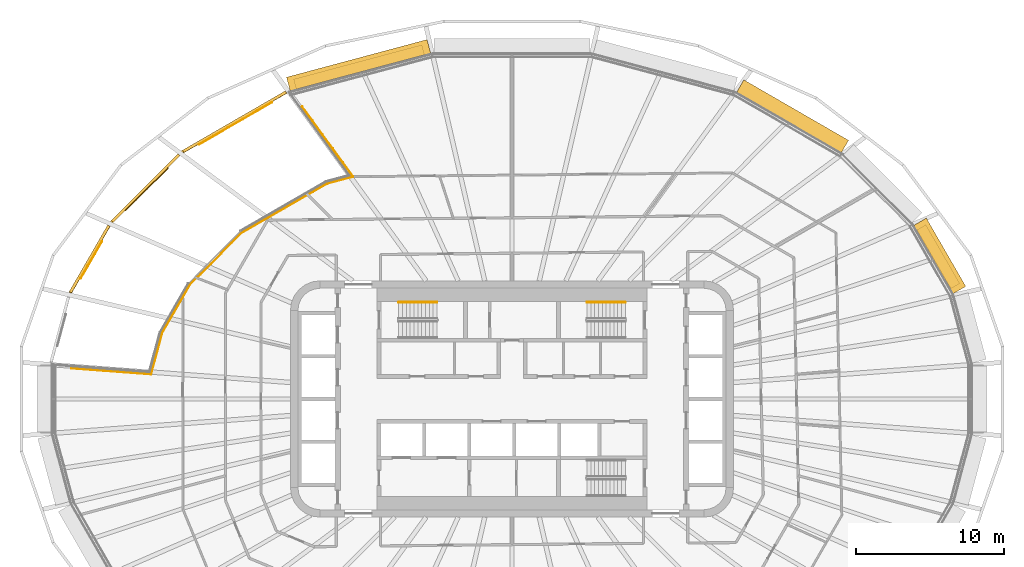
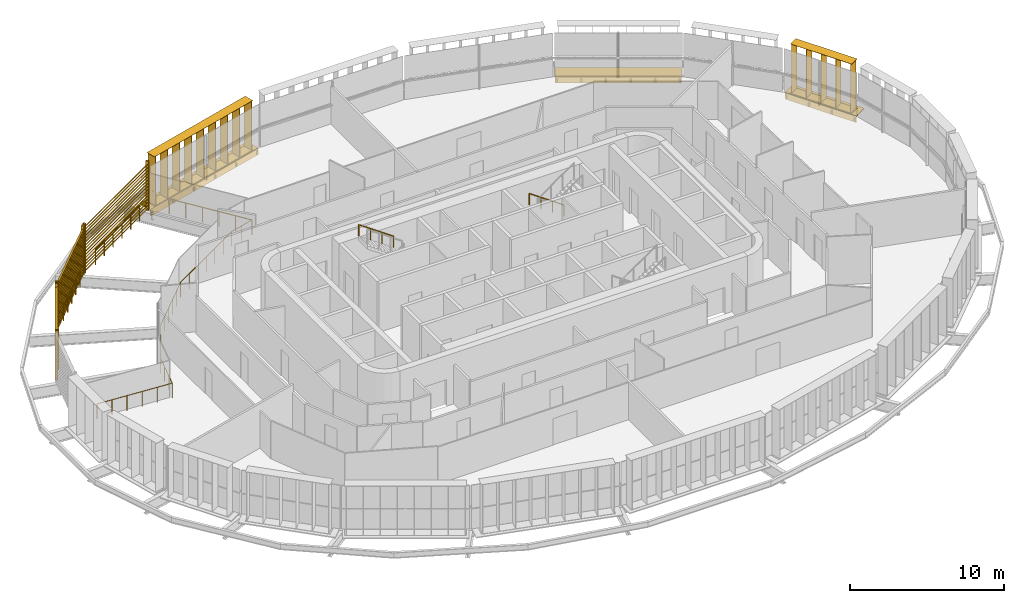
# One storey, part 22 of 23: 8 shading devices, 7 railings.
"""IFC4 building model written with IfcOpenShell, lengths in metres."""

import ifcopenshell
import ifcopenshell.guid

model = None  # the IFC model being written
_history = None  # IfcOwnerHistory: only IFC2X3 demands one
_inside = {}  # id of a spatial element -> (the spatial element, [elements in it])
_under = {}  # id of a project, library or spatial element -> (it, [spatial elements below it])
_declared = {}  # id of a project -> (the project, [libraries it declares])
_typed = {}  # id of a type object -> (the type object, [elements of that type])
_made_of = {}  # id of a material, layer set ... -> (it, [elements and type objects made of it])


def new_model(schema):
    """Start an empty IFC model of exactly this schema.

    Asked for "IFC4X3", IfcOpenShell would pick the latest addendum, in which some entities
    have other attributes; the version numbers below select the first issue.
    IFC2X3 requires an IfcOwnerHistory on every rooted entity: one is made here for all.
    """
    global model, _history
    if schema == "IFC4X3":
        model = ifcopenshell.file(schema_version=(4, 3, 0, 0))
    else:
        model = ifcopenshell.file(schema=schema)
    _inside.clear()
    _under.clear()
    _declared.clear()
    _typed.clear()
    _made_of.clear()
    _history = None
    if model.schema == "IFC2X3":
        org = make("IfcOrganization", Name="unknown")
        user = make(
            "IfcPersonAndOrganization",
            ThePerson=make("IfcPerson", FamilyName="unknown"),
            TheOrganization=org,
        )
        app = make(
            "IfcApplication",
            ApplicationDeveloper=org,
            Version="unknown",
            ApplicationFullName="unknown",
            ApplicationIdentifier="unknown",
        )
        _history = make(
            "IfcOwnerHistory",
            OwningUser=user,
            OwningApplication=app,
            ChangeAction="ADDED",
            CreationDate=0,
        )
    return model


def make(cls, **values):
    """One entity of the class cls with the attributes given. An attribute that is None is left unset."""
    return model.create_entity(
        cls, **{name: value for name, value in values.items() if value is not None}
    )


def rooted(cls, **values):
    """An entity with a GlobalId (a new one), such as an element, a storey or a relation."""
    return make(cls, GlobalId=ifcopenshell.guid.new(), OwnerHistory=_history, **values)


def si_unit(unit_type, name, prefix=None):
    """IfcSIUnit, for example si_unit("LENGTHUNIT", "METRE", prefix="MILLI")."""
    return make("IfcSIUnit", UnitType=unit_type, Prefix=prefix, Name=name)


def assignment(units):
    """IfcUnitAssignment: the units of a project."""
    return None if units is None else make("IfcUnitAssignment", Units=units)


def point(xyz):
    """IfcCartesianPoint."""
    return None if xyz is None else make("IfcCartesianPoint", Coordinates=xyz)


def direction(xyz):
    """IfcDirection."""
    return None if xyz is None else make("IfcDirection", DirectionRatios=xyz)


def frame(location, z_axis=None, x_axis=None):
    """IfcAxis2Placement3D, a coordinate frame: its origin and axes. An axis left out is left unset."""
    return make(
        "IfcAxis2Placement3D",
        Location=point(location),
        Axis=direction(z_axis),
        RefDirection=direction(x_axis),
    )


def frame_2d(location, x_axis=None):
    """IfcAxis2Placement2D, a coordinate frame in the plane: its origin and x axis."""
    return make(
        "IfcAxis2Placement2D", Location=point(location), RefDirection=direction(x_axis)
    )


def origin():
    """The frame at (0, 0, 0) with its axes left unset."""
    return frame((0.0, 0.0, 0.0))


def origin_2d():
    """The frame at (0, 0) in the plane with its x axis left unset."""
    return frame_2d((0.0, 0.0))


def place(relative_to, where):
    """IfcLocalPlacement: puts the frame where relative to a parent placement (None: the world)."""
    return make(
        "IfcLocalPlacement", PlacementRelTo=relative_to, RelativePlacement=where
    )


def context(
    kind, dimensions, precision=None, world=None, true_north=None, identifier=None
):
    """IfcGeometricRepresentationContext, for example the 3D "Model" context."""
    return make(
        "IfcGeometricRepresentationContext",
        ContextIdentifier=identifier,
        ContextType=kind,
        CoordinateSpaceDimension=dimensions,
        Precision=precision,
        WorldCoordinateSystem=world,
        TrueNorth=true_north,
    )


def subcontext(parent, identifier, kind, view, scale=None):
    """IfcGeometricRepresentationSubContext, for example "Body" below "Model"."""
    return make(
        "IfcGeometricRepresentationSubContext",
        ContextIdentifier=identifier,
        ContextType=kind,
        ParentContext=parent,
        TargetScale=scale,
        TargetView=view,
    )


def project(units=None, contexts=None):
    """IfcProject with its units and contexts."""
    return rooted(
        "IfcProject",
        Name="project",
        RepresentationContexts=contexts,
        UnitsInContext=assignment(units),
    )


def spatial(cls, under=None, at=None, **own):
    """A site, building, storey or space (cls), placed at a placement, below another one or the project."""
    s = rooted(cls, ObjectPlacement=at, **own)
    if under is not None:
        _under.setdefault(under.id(), (under, []))[1].append(s)
    return s


def profile(cls, at=None, kind="AREA", **sizes):
    """A parametric profile (cls). Its sizes go by their IFC names, for example OverallWidth=200.0."""
    return make(cls, ProfileType=kind, Position=at, **sizes)


def rectangle(**sizes):
    """IfcRectangleProfileDef."""
    return profile("IfcRectangleProfileDef", **sizes)


def circle(**sizes):
    """IfcCircleProfileDef."""
    return profile("IfcCircleProfileDef", **sizes)


def extrude(swept, where, along, depth):
    """IfcExtrudedAreaSolid: the profile swept, set in the frame where, extruded along a direction by depth."""
    return make(
        "IfcExtrudedAreaSolid",
        SweptArea=swept,
        Position=where,
        ExtrudedDirection=direction(along),
        Depth=depth,
    )


def shape(context_of_items, identifier, shape_type, items):
    """IfcShapeRepresentation: the items that make up one representation, for example the "Body"."""
    return make(
        "IfcShapeRepresentation",
        ContextOfItems=context_of_items,
        RepresentationIdentifier=identifier,
        RepresentationType=shape_type,
        Items=items,
    )


def material(Name=None, Category=None):
    """IfcMaterial."""
    return make("IfcMaterial", Name=Name, Category=Category)


def made_of(thing, what):
    """Note that an element or type object is made of a material, layer set ...; save() writes the relation."""
    if what is not None:
        _made_of.setdefault(what.id(), (what, []))[1].append(thing)
    return thing


def type_object(cls, material=None, **own):
    """A type object (cls), such as IfcWallType, which elements share."""
    return made_of(rooted(cls, **own), material)


def element(
    cls,
    number,
    at=None,
    inside=None,
    cuts=None,
    type_object=None,
    material=None,
    context=None,
    identifier="Body",
    shape_type=None,
    held_by="IfcProductDefinitionShape",
    body=None,
    shapes=None,
    **own,
):
    """One element of the class cls, such as IfcWall. Its Tag is "e" and its number.

    at: its placement. inside: the storey or other place that contains it. cuts: it is an
    opening in that element (IfcRelVoidsElement). A single representation is given by context,
    identifier, shape_type and body (its items); several are given by shapes. held_by: the class
    of the entity that holds the representations. save() writes the other relations.
    """
    e = rooted(cls, Tag="e%d" % number, ObjectPlacement=at, **own)
    if body is not None:
        shapes = [shape(context, identifier, shape_type, body)]
    if shapes is not None:
        e.Representation = make(held_by, Representations=shapes)
    if inside is not None:
        _inside.setdefault(inside.id(), (inside, []))[1].append(e)
    if cuts is not None:
        rooted(
            "IfcRelVoidsElement", RelatingBuildingElement=cuts, RelatedOpeningElement=e
        )
    if type_object is not None:
        _typed.setdefault(type_object.id(), (type_object, []))[1].append(e)
    return made_of(e, material)


def aggregate(whole, parts):
    """IfcRelAggregates: a whole, such as a stair, and the parts it consists of."""
    return rooted("IfcRelAggregates", RelatingObject=whole, RelatedObjects=parts)


def save(model, path):
    """Write the relations noted so far, then the file.

    IfcRelAggregates (storeys below a building ...), IfcRelContainedInSpatialStructure (elements
    in a storey), IfcRelDefinesByType, IfcRelAssociatesMaterial and IfcRelDeclares: one each for
    every whole, place, type object, material and project.
    """
    for whole, parts in _under.values():
        aggregate(whole, parts)
    for where, things in _inside.values():
        rooted(
            "IfcRelContainedInSpatialStructure",
            RelatedElements=things,
            RelatingStructure=where,
        )
    for kind, things in _typed.values():
        rooted("IfcRelDefinesByType", RelatedObjects=things, RelatingType=kind)
    for what, things in _made_of.values():
        rooted("IfcRelAssociatesMaterial", RelatedObjects=things, RelatingMaterial=what)
    for by, libraries in _declared.values():
        rooted("IfcRelDeclares", RelatingContext=by, RelatedDefinitions=libraries)
    model.write(path)


model = new_model("IFC4")

# Units and contexts
model_context = context("Model", 3, precision=1e-05, world=origin(), true_north=direction((0.0, 1.0)))
body_context = subcontext(model_context, "Body", "Model", "MODEL_VIEW")
ifc_project = project(units=[si_unit("LENGTHUNIT", "METRE"), si_unit("AREAUNIT", "SQUARE_METRE"), si_unit("VOLUMEUNIT", "CUBIC_METRE"), si_unit("PLANEANGLEUNIT", "RADIAN"), si_unit("MASSUNIT", "GRAM", prefix="KILO")], contexts=[model_context])

# Site, building, storey
site_placement = place(None, origin())
site = spatial("IfcSite", under=ifc_project, at=site_placement, CompositionType="ELEMENT")
building_placement = place(site_placement, origin())
building = spatial("IfcBuilding", under=site, at=building_placement, Name="Sahrelin Media Tower", CompositionType="ELEMENT")
storey_placement = place(building_placement, frame((0.0, 0.0, 173.60009765625)))
storey = spatial("IfcBuildingStorey", under=building, at=storey_placement, Name="L36", CompositionType="ELEMENT", Elevation=173.60009765625)

# Shading devices
ifc_material_1 = material(Name="Champagne anodised aluminium 6063-T6", Category="aluminium")
shading_device_type_1 = type_object("IfcShadingDeviceType", Name="Fin cassette", PredefinedType="USERDEFINED", material=ifc_material_1)
placement_1 = place(storey_placement, frame((28.50439453125, 9.427001953125, 0.0), z_axis=(0.0, 0.0, 1.0), x_axis=(0.500011000363, -0.866019052629, 0.0)))
element("IfcShadingDevice", 1, at=placement_1, inside=storey, type_object=shading_device_type_1, Name="L36:FIN:L36-02", ObjectType="FIN", PredefinedType="USERDEFINED", context=body_context, shape_type="SweptSolid", body=[
    extrude(rectangle(XDim=4.60009765625, YDim=0.699951171875, at=origin_2d()), frame((0.0, 0.419921875, 0.0)), (0.0, 0.0, 1.0), 0.02001953125),
    extrude(rectangle(XDim=4.60009765625, YDim=0.699951171875, at=origin_2d()), frame((0.0, 0.419921875, 3.89990234375)), (0.0, 0.0, 1.0), 0.02001953125),
    extrude(rectangle(XDim=0.02001953125, YDim=0.699951171875, at=origin_2d()), frame((-2.199951171875, 0.419921875, 0.010009765625), z_axis=(0.0, 0.0, 1.0), x_axis=(1.0, 0.0, 0.0)), (0.0, 0.0, 1.0), 3.89990234375),
    extrude(rectangle(XDim=0.02001953125, YDim=0.699951171875, at=origin_2d()), frame((-1.10009765625, 0.419921875, 0.010009765625), z_axis=(0.0, 0.0, 1.0), x_axis=(1.0, 0.0, 0.0)), (0.0, 0.0, 1.0), 3.89990234375),
    extrude(rectangle(XDim=0.02001953125, YDim=0.699951171875, at=origin_2d()), frame((0.0, 0.419921875, 0.010009765625), z_axis=(0.0, 0.0, 1.0), x_axis=(1.0, 0.0, 0.0)), (0.0, 0.0, 1.0), 3.89990234375),
    extrude(rectangle(XDim=0.02001953125, YDim=0.699951171875, at=origin_2d()), frame((1.10009765625, 0.419921875, 0.010009765625), z_axis=(0.0, 0.0, 1.0), x_axis=(1.0, 0.0, 0.0)), (0.0, 0.0, 1.0), 3.89990234375),
    extrude(rectangle(XDim=0.02001953125, YDim=0.699951171875, at=origin_2d()), frame((2.199951171875, 0.419921875, 0.010009765625), z_axis=(0.0, 0.0, 1.0), x_axis=(1.0, 0.0, 0.0)), (0.0, 0.0, 1.0), 3.89990234375),
])
placement_2 = place(storey_placement, frame((-10.246826171875, 22.075927734375, 0.0), z_axis=(0.0, 0.0, 1.0), x_axis=(0.965928857556, 0.258807731996, 0.0)))
element("IfcShadingDevice", 2, at=placement_2, inside=storey, type_object=shading_device_type_1, Name="L36:FIN:L36-07", ObjectType="FIN", PredefinedType="USERDEFINED", context=body_context, shape_type="SweptSolid", body=[
    extrude(rectangle(XDim=9.0, YDim=0.699951171875, at=origin_2d()), frame((0.0, 0.419921875, 0.0)), (0.0, 0.0, 1.0), 0.02001953125),
    extrude(rectangle(XDim=9.0, YDim=0.699951171875, at=origin_2d()), frame((0.0, 0.419921875, 3.89990234375)), (0.0, 0.0, 1.0), 0.02001953125),
    extrude(rectangle(XDim=0.02001953125, YDim=0.699951171875, at=origin_2d()), frame((-4.39990234375, 0.419921875, 0.010009765625), z_axis=(0.0, 0.0, 1.0), x_axis=(1.0, 0.0, 0.0)), (0.0, 0.0, 1.0), 3.89990234375),
    extrude(rectangle(XDim=0.02001953125, YDim=0.699951171875, at=origin_2d()), frame((-3.300048828125, 0.419921875, 0.010009765625), z_axis=(0.0, 0.0, 1.0), x_axis=(1.0, 0.0, 0.0)), (0.0, 0.0, 1.0), 3.89990234375),
    extrude(rectangle(XDim=0.02001953125, YDim=0.699951171875, at=origin_2d()), frame((-2.199951171875, 0.419921875, 0.010009765625), z_axis=(0.0, 0.0, 1.0), x_axis=(1.0, 0.0, 0.0)), (0.0, 0.0, 1.0), 3.89990234375),
    extrude(rectangle(XDim=0.02001953125, YDim=0.699951171875, at=origin_2d()), frame((-1.10009765625, 0.419921875, 0.010009765625), z_axis=(0.0, 0.0, 1.0), x_axis=(1.0, 0.0, 0.0)), (0.0, 0.0, 1.0), 3.89990234375),
    extrude(rectangle(XDim=0.02001953125, YDim=0.699951171875, at=origin_2d()), frame((0.0, 0.419921875, 0.010009765625), z_axis=(0.0, 0.0, 1.0), x_axis=(1.0, 0.0, 0.0)), (0.0, 0.0, 1.0), 3.89990234375),
    extrude(rectangle(XDim=0.02001953125, YDim=0.699951171875, at=origin_2d()), frame((1.10009765625, 0.419921875, 0.010009765625), z_axis=(0.0, 0.0, 1.0), x_axis=(1.0, 0.0, 0.0)), (0.0, 0.0, 1.0), 3.89990234375),
    extrude(rectangle(XDim=0.02001953125, YDim=0.699951171875, at=origin_2d()), frame((2.199951171875, 0.419921875, 0.010009765625), z_axis=(0.0, 0.0, 1.0), x_axis=(1.0, 0.0, 0.0)), (0.0, 0.0, 1.0), 3.89990234375),
    extrude(rectangle(XDim=0.02001953125, YDim=0.699951171875, at=origin_2d()), frame((3.300048828125, 0.419921875, 0.010009765625), z_axis=(0.0, 0.0, 1.0), x_axis=(1.0, 0.0, 0.0)), (0.0, 0.0, 1.0), 3.89990234375),
    extrude(rectangle(XDim=0.02001953125, YDim=0.699951171875, at=origin_2d()), frame((4.39990234375, 0.419921875, 0.010009765625), z_axis=(0.0, 0.0, 1.0), x_axis=(1.0, 0.0, 0.0)), (0.0, 0.0, 1.0), 3.89990234375),
])
shading_device_type_2 = type_object("IfcShadingDeviceType", Name="Garden screen", PredefinedType="USERDEFINED", material=ifc_material_1)
shading_device_3_placement = place(storey_placement, frame((-18.73095703125, 18.67919921875, 0.0), z_axis=(0.0, 0.0, 1.0), x_axis=(0.866019052629, 0.500011000363, 0.0)))
element("IfcShadingDevice", 3, at=shading_device_3_placement, inside=storey, type_object=shading_device_type_2, Name="L36:SCREEN:L36-08", ObjectType="SCREEN", PredefinedType="USERDEFINED", context=body_context, shape_type="SweptSolid", body=[
    extrude(rectangle(XDim=0.1201171875, YDim=0.199951171875, at=origin_2d()), frame((4.082763671875, 0.10009765625, 0.050048828125), z_axis=(0.0, 0.0, 1.0), x_axis=(1.0, 0.0, 0.0)), (0.0, 0.0, 1.0), 3.89990234375),
    extrude(rectangle(XDim=0.1201171875, YDim=0.199951171875, at=origin_2d()), frame((-4.082763671875, 0.10009765625, 0.050048828125), z_axis=(0.0, 0.0, 1.0), x_axis=(1.0, 0.0, 0.0)), (0.0, 0.0, 1.0), 3.89990234375),
    extrude(rectangle(XDim=0.25, YDim=0.02001953125, at=origin_2d()), frame((4.022705078125, 0.10009765625, 0.14990234375), z_axis=(-1.0, 0.0, 0.0), x_axis=(0.0, -0.766044443119, 0.642787609687)), (0.0, 0.0, 1.0), 8.04541015625),
    extrude(rectangle(XDim=0.25, YDim=0.02001953125, at=origin_2d()), frame((4.022705078125, 0.10009765625, 0.39990234375), z_axis=(-1.0, 0.0, 0.0), x_axis=(0.0, -0.766044443119, 0.642787609687)), (0.0, 0.0, 1.0), 8.04541015625),
    extrude(rectangle(XDim=0.25, YDim=0.02001953125, at=origin_2d()), frame((4.022705078125, 0.10009765625, 0.64990234375), z_axis=(-1.0, 0.0, 0.0), x_axis=(0.0, -0.766044443119, 0.642787609687)), (0.0, 0.0, 1.0), 8.04541015625),
    extrude(rectangle(XDim=0.25, YDim=0.02001953125, at=origin_2d()), frame((4.022705078125, 0.10009765625, 0.89990234375), z_axis=(-1.0, 0.0, 0.0), x_axis=(0.0, -0.766044443119, 0.642787609687)), (0.0, 0.0, 1.0), 8.04541015625),
    extrude(rectangle(XDim=0.25, YDim=0.02001953125, at=origin_2d()), frame((4.022705078125, 0.10009765625, 1.14990234375), z_axis=(-1.0, 0.0, 0.0), x_axis=(0.0, -0.766044443119, 0.642787609687)), (0.0, 0.0, 1.0), 8.04541015625),
    extrude(rectangle(XDim=0.25, YDim=0.02001953125, at=origin_2d()), frame((4.022705078125, 0.10009765625, 1.39990234375), z_axis=(-1.0, 0.0, 0.0), x_axis=(0.0, -0.766044443119, 0.642787609687)), (0.0, 0.0, 1.0), 8.04541015625),
    extrude(rectangle(XDim=0.25, YDim=0.02001953125, at=origin_2d()), frame((4.022705078125, 0.10009765625, 1.64990234375), z_axis=(-1.0, 0.0, 0.0), x_axis=(0.0, -0.766044443119, 0.642787609687)), (0.0, 0.0, 1.0), 8.04541015625),
    extrude(rectangle(XDim=0.25, YDim=0.02001953125, at=origin_2d()), frame((4.022705078125, 0.10009765625, 1.89990234375), z_axis=(-1.0, 0.0, 0.0), x_axis=(0.0, -0.766044443119, 0.642787609687)), (0.0, 0.0, 1.0), 8.04541015625),
    extrude(rectangle(XDim=0.25, YDim=0.02001953125, at=origin_2d()), frame((4.022705078125, 0.10009765625, 2.14990234375), z_axis=(-1.0, 0.0, 0.0), x_axis=(0.0, -0.766044443119, 0.642787609687)), (0.0, 0.0, 1.0), 8.04541015625),
    extrude(rectangle(XDim=0.25, YDim=0.02001953125, at=origin_2d()), frame((4.022705078125, 0.10009765625, 2.39990234375), z_axis=(-1.0, 0.0, 0.0), x_axis=(0.0, -0.766044443119, 0.642787609687)), (0.0, 0.0, 1.0), 8.04541015625),
    extrude(rectangle(XDim=0.25, YDim=0.02001953125, at=origin_2d()), frame((4.022705078125, 0.10009765625, 2.64990234375), z_axis=(-1.0, 0.0, 0.0), x_axis=(0.0, -0.766044443119, 0.642787609687)), (0.0, 0.0, 1.0), 8.04541015625),
    extrude(rectangle(XDim=0.25, YDim=0.02001953125, at=origin_2d()), frame((4.022705078125, 0.10009765625, 2.89990234375), z_axis=(-1.0, 0.0, 0.0), x_axis=(0.0, -0.766044443119, 0.642787609687)), (0.0, 0.0, 1.0), 8.04541015625),
    extrude(rectangle(XDim=0.25, YDim=0.02001953125, at=origin_2d()), frame((4.022705078125, 0.10009765625, 3.14990234375), z_axis=(-1.0, 0.0, 0.0), x_axis=(0.0, -0.766044443119, 0.642787609687)), (0.0, 0.0, 1.0), 8.04541015625),
    extrude(rectangle(XDim=0.25, YDim=0.02001953125, at=origin_2d()), frame((4.022705078125, 0.10009765625, 3.39990234375), z_axis=(-1.0, 0.0, 0.0), x_axis=(0.0, -0.766044443119, 0.642787609687)), (0.0, 0.0, 1.0), 8.04541015625),
    extrude(rectangle(XDim=0.25, YDim=0.02001953125, at=origin_2d()), frame((4.022705078125, 0.10009765625, 3.64990234375), z_axis=(-1.0, 0.0, 0.0), x_axis=(0.0, -0.766044443119, 0.642787609687)), (0.0, 0.0, 1.0), 8.04541015625),
])
shading_device_4_placement = place(storey_placement, frame((-24.740966796875, 14.2041015625, 0.0), z_axis=(0.0, 0.0, 1.0), x_axis=(0.707106781187, 0.707106781187, 0.0)))
element("IfcShadingDevice", 4, at=shading_device_4_placement, inside=storey, type_object=shading_device_type_2, Name="L36:SCREEN:L36-09", ObjectType="SCREEN", PredefinedType="USERDEFINED", context=body_context, shape_type="SweptSolid", body=[
    extrude(rectangle(XDim=0.1201171875, YDim=0.199951171875, at=origin_2d()), frame((3.25439453125, 0.10009765625, 0.050048828125), z_axis=(0.0, 0.0, 1.0), x_axis=(1.0, 0.0, 0.0)), (0.0, 0.0, 1.0), 3.89990234375),
    extrude(rectangle(XDim=0.1201171875, YDim=0.199951171875, at=origin_2d()), frame((-3.25439453125, 0.10009765625, 0.050048828125), z_axis=(0.0, 0.0, 1.0), x_axis=(1.0, 0.0, 0.0)), (0.0, 0.0, 1.0), 3.89990234375),
    extrude(rectangle(XDim=0.25, YDim=0.02001953125, at=origin_2d()), frame((3.1943359375, 0.10009765625, 0.14990234375), z_axis=(-1.0, 0.0, 0.0), x_axis=(0.0, -0.766044443119, 0.642787609687)), (0.0, 0.0, 1.0), 6.388671875),
    extrude(rectangle(XDim=0.25, YDim=0.02001953125, at=origin_2d()), frame((3.1943359375, 0.10009765625, 0.39990234375), z_axis=(-1.0, 0.0, 0.0), x_axis=(0.0, -0.766044443119, 0.642787609687)), (0.0, 0.0, 1.0), 6.388671875),
    extrude(rectangle(XDim=0.25, YDim=0.02001953125, at=origin_2d()), frame((3.1943359375, 0.10009765625, 0.64990234375), z_axis=(-1.0, 0.0, 0.0), x_axis=(0.0, -0.766044443119, 0.642787609687)), (0.0, 0.0, 1.0), 6.388671875),
    extrude(rectangle(XDim=0.25, YDim=0.02001953125, at=origin_2d()), frame((3.1943359375, 0.10009765625, 0.89990234375), z_axis=(-1.0, 0.0, 0.0), x_axis=(0.0, -0.766044443119, 0.642787609687)), (0.0, 0.0, 1.0), 6.388671875),
    extrude(rectangle(XDim=0.25, YDim=0.02001953125, at=origin_2d()), frame((3.1943359375, 0.10009765625, 1.14990234375), z_axis=(-1.0, 0.0, 0.0), x_axis=(0.0, -0.766044443119, 0.642787609687)), (0.0, 0.0, 1.0), 6.388671875),
    extrude(rectangle(XDim=0.25, YDim=0.02001953125, at=origin_2d()), frame((3.1943359375, 0.10009765625, 1.39990234375), z_axis=(-1.0, 0.0, 0.0), x_axis=(0.0, -0.766044443119, 0.642787609687)), (0.0, 0.0, 1.0), 6.388671875),
    extrude(rectangle(XDim=0.25, YDim=0.02001953125, at=origin_2d()), frame((3.1943359375, 0.10009765625, 1.64990234375), z_axis=(-1.0, 0.0, 0.0), x_axis=(0.0, -0.766044443119, 0.642787609687)), (0.0, 0.0, 1.0), 6.388671875),
    extrude(rectangle(XDim=0.25, YDim=0.02001953125, at=origin_2d()), frame((3.1943359375, 0.10009765625, 1.89990234375), z_axis=(-1.0, 0.0, 0.0), x_axis=(0.0, -0.766044443119, 0.642787609687)), (0.0, 0.0, 1.0), 6.388671875),
    extrude(rectangle(XDim=0.25, YDim=0.02001953125, at=origin_2d()), frame((3.1943359375, 0.10009765625, 2.14990234375), z_axis=(-1.0, 0.0, 0.0), x_axis=(0.0, -0.766044443119, 0.642787609687)), (0.0, 0.0, 1.0), 6.388671875),
    extrude(rectangle(XDim=0.25, YDim=0.02001953125, at=origin_2d()), frame((3.1943359375, 0.10009765625, 2.39990234375), z_axis=(-1.0, 0.0, 0.0), x_axis=(0.0, -0.766044443119, 0.642787609687)), (0.0, 0.0, 1.0), 6.388671875),
    extrude(rectangle(XDim=0.25, YDim=0.02001953125, at=origin_2d()), frame((3.1943359375, 0.10009765625, 2.64990234375), z_axis=(-1.0, 0.0, 0.0), x_axis=(0.0, -0.766044443119, 0.642787609687)), (0.0, 0.0, 1.0), 6.388671875),
    extrude(rectangle(XDim=0.25, YDim=0.02001953125, at=origin_2d()), frame((3.1943359375, 0.10009765625, 2.89990234375), z_axis=(-1.0, 0.0, 0.0), x_axis=(0.0, -0.766044443119, 0.642787609687)), (0.0, 0.0, 1.0), 6.388671875),
    extrude(rectangle(XDim=0.25, YDim=0.02001953125, at=origin_2d()), frame((3.1943359375, 0.10009765625, 3.14990234375), z_axis=(-1.0, 0.0, 0.0), x_axis=(0.0, -0.766044443119, 0.642787609687)), (0.0, 0.0, 1.0), 6.388671875),
    extrude(rectangle(XDim=0.25, YDim=0.02001953125, at=origin_2d()), frame((3.1943359375, 0.10009765625, 3.39990234375), z_axis=(-1.0, 0.0, 0.0), x_axis=(0.0, -0.766044443119, 0.642787609687)), (0.0, 0.0, 1.0), 6.388671875),
    extrude(rectangle(XDim=0.25, YDim=0.02001953125, at=origin_2d()), frame((3.1943359375, 0.10009765625, 3.64990234375), z_axis=(-1.0, 0.0, 0.0), x_axis=(0.0, -0.766044443119, 0.642787609687)), (0.0, 0.0, 1.0), 6.388671875),
])
shading_device_5_placement = place(storey_placement, frame((-28.50439453125, 9.427001953125, 0.0), z_axis=(0.0, 0.0, 1.0), x_axis=(0.500011000363, 0.866019052629, 0.0)))
element("IfcShadingDevice", 5, at=shading_device_5_placement, inside=storey, type_object=shading_device_type_2, Name="L36:SCREEN:L36-10", ObjectType="SCREEN", PredefinedType="USERDEFINED", context=body_context, shape_type="SweptSolid", body=[
    extrude(rectangle(XDim=0.1201171875, YDim=0.199951171875, at=origin_2d()), frame((2.6591796875, 0.10009765625, 0.050048828125), z_axis=(0.0, 0.0, 1.0), x_axis=(1.0, 0.0, 0.0)), (0.0, 0.0, 1.0), 3.89990234375),
    extrude(rectangle(XDim=0.1201171875, YDim=0.199951171875, at=origin_2d()), frame((-2.6591796875, 0.10009765625, 0.050048828125), z_axis=(0.0, 0.0, 1.0), x_axis=(1.0, 0.0, 0.0)), (0.0, 0.0, 1.0), 3.89990234375),
    extrude(rectangle(XDim=0.25, YDim=0.02001953125, at=origin_2d()), frame((2.59912109375, 0.10009765625, 0.14990234375), z_axis=(-1.0, 0.0, 0.0), x_axis=(0.0, -0.766044443119, 0.642787609687)), (0.0, 0.0, 1.0), 5.1982421875),
    extrude(rectangle(XDim=0.25, YDim=0.02001953125, at=origin_2d()), frame((2.59912109375, 0.10009765625, 0.39990234375), z_axis=(-1.0, 0.0, 0.0), x_axis=(0.0, -0.766044443119, 0.642787609687)), (0.0, 0.0, 1.0), 5.1982421875),
    extrude(rectangle(XDim=0.25, YDim=0.02001953125, at=origin_2d()), frame((2.59912109375, 0.10009765625, 0.64990234375), z_axis=(-1.0, 0.0, 0.0), x_axis=(0.0, -0.766044443119, 0.642787609687)), (0.0, 0.0, 1.0), 5.1982421875),
    extrude(rectangle(XDim=0.25, YDim=0.02001953125, at=origin_2d()), frame((2.59912109375, 0.10009765625, 0.89990234375), z_axis=(-1.0, 0.0, 0.0), x_axis=(0.0, -0.766044443119, 0.642787609687)), (0.0, 0.0, 1.0), 5.1982421875),
    extrude(rectangle(XDim=0.25, YDim=0.02001953125, at=origin_2d()), frame((2.59912109375, 0.10009765625, 1.14990234375), z_axis=(-1.0, 0.0, 0.0), x_axis=(0.0, -0.766044443119, 0.642787609687)), (0.0, 0.0, 1.0), 5.1982421875),
    extrude(rectangle(XDim=0.25, YDim=0.02001953125, at=origin_2d()), frame((2.59912109375, 0.10009765625, 1.39990234375), z_axis=(-1.0, 0.0, 0.0), x_axis=(0.0, -0.766044443119, 0.642787609687)), (0.0, 0.0, 1.0), 5.1982421875),
    extrude(rectangle(XDim=0.25, YDim=0.02001953125, at=origin_2d()), frame((2.59912109375, 0.10009765625, 1.64990234375), z_axis=(-1.0, 0.0, 0.0), x_axis=(0.0, -0.766044443119, 0.642787609687)), (0.0, 0.0, 1.0), 5.1982421875),
    extrude(rectangle(XDim=0.25, YDim=0.02001953125, at=origin_2d()), frame((2.59912109375, 0.10009765625, 1.89990234375), z_axis=(-1.0, 0.0, 0.0), x_axis=(0.0, -0.766044443119, 0.642787609687)), (0.0, 0.0, 1.0), 5.1982421875),
    extrude(rectangle(XDim=0.25, YDim=0.02001953125, at=origin_2d()), frame((2.59912109375, 0.10009765625, 2.14990234375), z_axis=(-1.0, 0.0, 0.0), x_axis=(0.0, -0.766044443119, 0.642787609687)), (0.0, 0.0, 1.0), 5.1982421875),
    extrude(rectangle(XDim=0.25, YDim=0.02001953125, at=origin_2d()), frame((2.59912109375, 0.10009765625, 2.39990234375), z_axis=(-1.0, 0.0, 0.0), x_axis=(0.0, -0.766044443119, 0.642787609687)), (0.0, 0.0, 1.0), 5.1982421875),
    extrude(rectangle(XDim=0.25, YDim=0.02001953125, at=origin_2d()), frame((2.59912109375, 0.10009765625, 2.64990234375), z_axis=(-1.0, 0.0, 0.0), x_axis=(0.0, -0.766044443119, 0.642787609687)), (0.0, 0.0, 1.0), 5.1982421875),
    extrude(rectangle(XDim=0.25, YDim=0.02001953125, at=origin_2d()), frame((2.59912109375, 0.10009765625, 2.89990234375), z_axis=(-1.0, 0.0, 0.0), x_axis=(0.0, -0.766044443119, 0.642787609687)), (0.0, 0.0, 1.0), 5.1982421875),
    extrude(rectangle(XDim=0.25, YDim=0.02001953125, at=origin_2d()), frame((2.59912109375, 0.10009765625, 3.14990234375), z_axis=(-1.0, 0.0, 0.0), x_axis=(0.0, -0.766044443119, 0.642787609687)), (0.0, 0.0, 1.0), 5.1982421875),
    extrude(rectangle(XDim=0.25, YDim=0.02001953125, at=origin_2d()), frame((2.59912109375, 0.10009765625, 3.39990234375), z_axis=(-1.0, 0.0, 0.0), x_axis=(0.0, -0.766044443119, 0.642787609687)), (0.0, 0.0, 1.0), 5.1982421875),
    extrude(rectangle(XDim=0.25, YDim=0.02001953125, at=origin_2d()), frame((2.59912109375, 0.10009765625, 3.64990234375), z_axis=(-1.0, 0.0, 0.0), x_axis=(0.0, -0.766044443119, 0.642787609687)), (0.0, 0.0, 1.0), 5.1982421875),
])

# Railings
ifc_material_2 = material(Name="Stainless steel 316", Category="steel")
railing_type_1 = type_object("IfcRailingType", Name="Sky garden guard", PredefinedType="GUARDRAIL", material=ifc_material_2)
railing_1_placement = place(storey_placement, frame((-10.756591796875, 15.054931640625, 0.0)))
element("IfcRailing", 6, at=railing_1_placement, inside=storey, type_object=railing_type_1, Name="Sky garden void guard G3-1", PredefinedType="GUARDRAIL", context=body_context, shape_type="SweptSolid", body=[
    extrude(circle(Radius=0.02392578125, at=origin_2d()), frame((0.0, 0.0, 1.17578125), z_axis=(-0.965921388554, -0.258835606387, 0.0), x_axis=(0.258835606387, -0.965921388554, 0.0)), (0.0, 0.0, 1.0), 1.83935546875),
    extrude(circle(Radius=0.02392578125, at=origin_2d()), frame((-1.776611328125, -0.47607421875, 1.17578125), z_axis=(-0.866031159827, -0.499990030109, 0.0), x_axis=(0.499990030109, -0.866031159827, 0.0)), (0.0, 0.0, 1.0), 6.634521484375),
    extrude(circle(Radius=0.02392578125, at=origin_2d()), frame((-7.522216796875, -3.793212890625, 1.17578125), z_axis=(-0.707106781187, -0.707106781187, 0.0), x_axis=(0.707106781187, -0.707106781187, 0.0)), (0.0, 0.0, 1.0), 4.977783203125),
    extrude(circle(Radius=0.02392578125, at=origin_2d()), frame((-11.0419921875, -7.31298828125, 1.17578125), z_axis=(-0.500014461485, -0.866017054281, 0.0), x_axis=(0.866017054281, -0.500014461485, 0.0)), (0.0, 0.0, 1.0), 3.78759765625),
    extrude(circle(Radius=0.02392578125, at=origin_2d()), frame((-12.935791015625, -10.593017578125, 1.17578125), z_axis=(-0.258789666041, -0.965933697906, 0.0), x_axis=(0.965933697906, -0.258789666041, 0.0)), (0.0, 0.0, 1.0), 2.885009765625),
    extrude(circle(Radius=0.02392578125, at=origin_2d()), frame((-13.682373046875, -13.379638671875, 1.17578125), z_axis=(-0.997220139715, 0.074511696717, 0.0), x_axis=(-0.074511696717, -0.997220139715, 0.0)), (0.0, 0.0, 1.0), 5.40966796875),
    extrude(circle(Radius=0.02099609375, at=origin_2d()), origin(), (0.0, 0.0, 1.0), 1.15185546875),
    extrude(circle(Radius=0.02099609375, at=origin_2d()), frame((-0.88818359375, -0.238037109375, 0.0)), (0.0, 0.0, 1.0), 1.15185546875),
    extrude(circle(Radius=0.02099609375, at=origin_2d()), frame((-1.776611328125, -0.47607421875, 0.0)), (0.0, 0.0, 1.0), 1.15185546875),
    extrude(circle(Radius=0.02099609375, at=origin_2d()), frame((-2.734130859375, -1.02880859375, 0.0)), (0.0, 0.0, 1.0), 1.15185546875),
    extrude(circle(Radius=0.02099609375, at=origin_2d()), frame((-3.69189453125, -1.581787109375, 0.0)), (0.0, 0.0, 1.0), 1.15185546875),
    extrude(circle(Radius=0.02099609375, at=origin_2d()), frame((-4.6494140625, -2.134765625, 0.0)), (0.0, 0.0, 1.0), 1.15185546875),
    extrude(circle(Radius=0.02099609375, at=origin_2d()), frame((-5.60693359375, -2.6875, 0.0)), (0.0, 0.0, 1.0), 1.15185546875),
    extrude(circle(Radius=0.02099609375, at=origin_2d()), frame((-6.564697265625, -3.240234375, 0.0)), (0.0, 0.0, 1.0), 1.15185546875),
    extrude(circle(Radius=0.02099609375, at=origin_2d()), frame((-7.522216796875, -3.793212890625, 0.0)), (0.0, 0.0, 1.0), 1.15185546875),
    extrude(circle(Radius=0.02099609375, at=origin_2d()), frame((-8.22607421875, -4.4970703125, 0.0)), (0.0, 0.0, 1.0), 1.15185546875),
    extrude(circle(Radius=0.02099609375, at=origin_2d()), frame((-8.93017578125, -5.201171875, 0.0)), (0.0, 0.0, 1.0), 1.15185546875),
    extrude(circle(Radius=0.02099609375, at=origin_2d()), frame((-9.634033203125, -5.905029296875, 0.0)), (0.0, 0.0, 1.0), 1.15185546875),
    extrude(circle(Radius=0.02099609375, at=origin_2d()), frame((-10.338134765625, -6.609130859375, 0.0)), (0.0, 0.0, 1.0), 1.15185546875),
    extrude(circle(Radius=0.02099609375, at=origin_2d()), frame((-11.0419921875, -7.31298828125, 0.0)), (0.0, 0.0, 1.0), 1.15185546875),
    extrude(circle(Radius=0.02099609375, at=origin_2d()), frame((-11.515380859375, -8.133056640625, 0.0)), (0.0, 0.0, 1.0), 1.15185546875),
    extrude(circle(Radius=0.02099609375, at=origin_2d()), frame((-11.98876953125, -8.953125, 0.0)), (0.0, 0.0, 1.0), 1.15185546875),
    extrude(circle(Radius=0.02099609375, at=origin_2d()), frame((-12.46240234375, -9.77294921875, 0.0)), (0.0, 0.0, 1.0), 1.15185546875),
    extrude(circle(Radius=0.02099609375, at=origin_2d()), frame((-12.935791015625, -10.593017578125, 0.0)), (0.0, 0.0, 1.0), 1.15185546875),
    extrude(circle(Radius=0.02099609375, at=origin_2d()), frame((-13.1845703125, -11.52197265625, 0.0)), (0.0, 0.0, 1.0), 1.15185546875),
    extrude(circle(Radius=0.02099609375, at=origin_2d()), frame((-13.43359375, -12.45068359375, 0.0)), (0.0, 0.0, 1.0), 1.15185546875),
    extrude(circle(Radius=0.02099609375, at=origin_2d()), frame((-13.682373046875, -13.379638671875, 0.0)), (0.0, 0.0, 1.0), 1.15185546875),
    extrude(circle(Radius=0.02099609375, at=origin_2d()), frame((-14.76123046875, -13.299072265625, 0.0)), (0.0, 0.0, 1.0), 1.15185546875),
    extrude(circle(Radius=0.02099609375, at=origin_2d()), frame((-15.840087890625, -13.218505859375, 0.0)), (0.0, 0.0, 1.0), 1.15185546875),
    extrude(circle(Radius=0.02099609375, at=origin_2d()), frame((-16.919189453125, -13.1376953125, 0.0)), (0.0, 0.0, 1.0), 1.15185546875),
    extrude(circle(Radius=0.02099609375, at=origin_2d()), frame((-17.998046875, -13.05712890625, 0.0)), (0.0, 0.0, 1.0), 1.15185546875),
    extrude(circle(Radius=0.02099609375, at=origin_2d()), frame((-19.076904296875, -12.9765625, 0.0)), (0.0, 0.0, 1.0), 1.15185546875),
])
railing_2_placement = place(storey_placement, frame((-29.2021484375, 8.173583984375, 0.0)))
element("IfcRailing", 7, at=railing_2_placement, inside=storey, type_object=railing_type_1, Name="Sky garden void guard G3-3", PredefinedType="GUARDRAIL", context=body_context, shape_type="SweptSolid", body=[
    extrude(circle(Radius=0.02392578125, at=origin_2d()), frame((0.0, 0.0, 1.17578125), z_axis=(0.500036638401, 0.866004249561, 0.0), x_axis=(-0.866004249561, 0.500036638401, 0.0)), (0.0, 0.0, 1.0), 2.869873046875),
    extrude(circle(Radius=0.02099609375, at=origin_2d()), origin(), (0.0, 0.0, 1.0), 1.15185546875),
    extrude(circle(Radius=0.02099609375, at=origin_2d()), frame((0.478271484375, 0.828369140625, 0.0)), (0.0, 0.0, 1.0), 1.15185546875),
    extrude(circle(Radius=0.02099609375, at=origin_2d()), frame((0.956787109375, 1.656982421875, 0.0)), (0.0, 0.0, 1.0), 1.15185546875),
    extrude(circle(Radius=0.02099609375, at=origin_2d()), frame((1.43505859375, 2.4853515625, 0.0)), (0.0, 0.0, 1.0), 1.15185546875),
])
railing_3_placement = place(storey_placement, frame((-26.157958984375, 12.755126953125, 0.0)))
element("IfcRailing", 8, at=railing_3_placement, inside=storey, type_object=railing_type_1, Name="Sky garden void guard G3-4", PredefinedType="GUARDRAIL", context=body_context, shape_type="SweptSolid", body=[
    extrude(circle(Radius=0.02392578125, at=origin_2d()), frame((0.0, 0.0, 1.17578125), z_axis=(0.707106781187, 0.707106781187, 0.0), x_axis=(-0.707106781187, 0.707106781187, 0.0)), (0.0, 0.0, 1.0), 4.052978515625),
    extrude(circle(Radius=0.02099609375, at=origin_2d()), origin(), (0.0, 0.0, 1.0), 1.15185546875),
    extrude(circle(Radius=0.02099609375, at=origin_2d()), frame((0.716552734375, 0.716552734375, 0.0)), (0.0, 0.0, 1.0), 1.15185546875),
    extrude(circle(Radius=0.02099609375, at=origin_2d()), frame((1.43310546875, 1.43310546875, 0.0)), (0.0, 0.0, 1.0), 1.15185546875),
    extrude(circle(Radius=0.02099609375, at=origin_2d()), frame((2.1494140625, 2.1494140625, 0.0)), (0.0, 0.0, 1.0), 1.15185546875),
    extrude(circle(Radius=0.02099609375, at=origin_2d()), frame((2.865966796875, 2.865966796875, 0.0)), (0.0, 0.0, 1.0), 1.15185546875),
])
railing_4_placement = place(storey_placement, frame((-21.196044921875, 17.230224609375, 0.0)))
element("IfcRailing", 9, at=railing_4_placement, inside=storey, type_object=railing_type_1, Name="Sky garden void guard G3-5", PredefinedType="GUARDRAIL", context=body_context, shape_type="SweptSolid", body=[
    extrude(circle(Radius=0.02392578125, at=origin_2d()), frame((0.0, 0.0, 1.17578125), z_axis=(0.866037671803, 0.499978750566, 0.0), x_axis=(-0.499978750566, 0.866037671803, 0.0)), (0.0, 0.0, 1.0), 5.717041015625),
    extrude(circle(Radius=0.02099609375, at=origin_2d()), origin(), (0.0, 0.0, 1.0), 1.15185546875),
    extrude(circle(Radius=0.02099609375, at=origin_2d()), frame((0.990234375, 0.57177734375, 0.0)), (0.0, 0.0, 1.0), 1.15185546875),
    extrude(circle(Radius=0.02099609375, at=origin_2d()), frame((1.98046875, 1.143310546875, 0.0)), (0.0, 0.0, 1.0), 1.15185546875),
    extrude(circle(Radius=0.02099609375, at=origin_2d()), frame((2.970703125, 1.715087890625, 0.0)), (0.0, 0.0, 1.0), 1.15185546875),
    extrude(circle(Radius=0.02099609375, at=origin_2d()), frame((3.9609375, 2.28662109375, 0.0)), (0.0, 0.0, 1.0), 1.15185546875),
    extrude(circle(Radius=0.02099609375, at=origin_2d()), frame((4.951171875, 2.8583984375, 0.0)), (0.0, 0.0, 1.0), 1.15185546875),
])
railing_5_placement = place(storey_placement, frame((-14.198486328125, 19.790283203125, 0.0)))
element("IfcRailing", 10, at=railing_5_placement, inside=storey, type_object=railing_type_1, Name="Sky garden void guard G3-6", PredefinedType="GUARDRAIL", context=body_context, shape_type="SweptSolid", body=[
    extrude(circle(Radius=0.02392578125, at=origin_2d()), frame((0.0, 0.0, 1.17578125), z_axis=(0.587948500432, -0.80889836249, 0.0), x_axis=(0.80889836249, 0.587948500432, 0.0)), (0.0, 0.0, 1.0), 5.85400390625),
    extrude(circle(Radius=0.02099609375, at=origin_2d()), origin(), (0.0, 0.0, 1.0), 1.15185546875),
    extrude(circle(Radius=0.02099609375, at=origin_2d()), frame((0.6884765625, -0.947021484375, 0.0)), (0.0, 0.0, 1.0), 1.15185546875),
    extrude(circle(Radius=0.02099609375, at=origin_2d()), frame((1.376708984375, -1.89404296875, 0.0)), (0.0, 0.0, 1.0), 1.15185546875),
    extrude(circle(Radius=0.02099609375, at=origin_2d()), frame((2.065185546875, -2.84130859375, 0.0)), (0.0, 0.0, 1.0), 1.15185546875),
    extrude(circle(Radius=0.02099609375, at=origin_2d()), frame((2.75341796875, -3.788330078125, 0.0)), (0.0, 0.0, 1.0), 1.15185546875),
    extrude(circle(Radius=0.02099609375, at=origin_2d()), frame((3.44189453125, -4.7353515625, 0.0)), (0.0, 0.0, 1.0), 1.15185546875),
])
ifc_material_3 = material(Name="Steel S355", Category="steel")
railing_type_2 = type_object("IfcRailingType", Name="Stair handrail 900", PredefinedType="HANDRAIL", material=ifc_material_3)
for number, where, name in (
    (11, (-5.074951171875, 6.550048828125, 2.181640625), "L36 ST1 stair handrail 2"),
    (12, (7.675048828125, 6.550048828125, 0.181640625), "L36 ST3 stair handrail 1"),
):
    element("IfcRailing", number, at=place(storey_placement, frame(where)), inside=storey, type_object=railing_type_2, Name=name, PredefinedType="HANDRAIL", context=body_context, shape_type="SweptSolid", body=[
        extrude(circle(Radius=0.02392578125, at=origin_2d()), frame((0.0, 0.0, 0.8759765625), z_axis=(-0.819484887739, 0.0, 0.573100792852), x_axis=(0.0, -1.0, 0.0)), (0.0, 0.0, 1.0), 3.1728515625),
        extrude(circle(Radius=0.02099609375, at=origin_2d()), origin(), (0.0, 0.0, 1.0), 0.851806640625),
        extrude(circle(Radius=0.02099609375, at=origin_2d()), frame((-0.86669921875, 0.0, 0.606201171875)), (0.0, 0.0, 1.0), 0.851806640625),
        extrude(circle(Radius=0.02099609375, at=origin_2d()), frame((-1.7333984375, 0.0, 1.212158203125)), (0.0, 0.0, 1.0), 0.851806640625),
        extrude(circle(Radius=0.02099609375, at=origin_2d()), frame((-2.60009765625, 0.0, 1.818359375)), (0.0, 0.0, 1.0), 0.851806640625),
    ])

# Shading devices
shading_device_type_3 = type_object("IfcShadingDeviceType", Name="Sunshade band", PredefinedType="USERDEFINED", material=ifc_material_1)
element("IfcShadingDevice", 13, at=placement_1, inside=storey, type_object=shading_device_type_3, Name="L36:SUN:L36-02", ObjectType="SUNSHADE", PredefinedType="USERDEFINED", context=body_context, shape_type="SweptSolid", body=[
    extrude(rectangle(XDim=5.33837890625, YDim=0.050048828125, at=origin_2d()), frame((0.0, 0.044921875, -0.55126953125)), (0.0, 0.0, 1.0), 0.471435546875),
    extrude(rectangle(XDim=5.33837890625, YDim=1.0, at=origin_2d()), frame((0.0, 0.52001953125, -0.080078125)), (0.0, 0.0, 1.0), 0.080078125),
    extrude(rectangle(XDim=0.10009765625, YDim=0.074951171875, at=origin_2d()), frame((-2.569091796875, -0.017578125, -0.47021484375)), (0.0, 0.0, 1.0), 0.300048828125),
    extrude(rectangle(XDim=0.10009765625, YDim=0.074951171875, at=origin_2d()), frame((-0.8564453125, -0.017578125, -0.47021484375)), (0.0, 0.0, 1.0), 0.300048828125),
    extrude(rectangle(XDim=0.10009765625, YDim=0.074951171875, at=origin_2d()), frame((0.8564453125, -0.017578125, -0.47021484375)), (0.0, 0.0, 1.0), 0.300048828125),
    extrude(rectangle(XDim=0.10009765625, YDim=0.074951171875, at=origin_2d()), frame((2.569091796875, -0.017578125, -0.47021484375)), (0.0, 0.0, 1.0), 0.300048828125),
])
shading_device_7_placement = place(storey_placement, frame((18.73095703125, 18.67919921875, 0.0), z_axis=(0.0, 0.0, 1.0), x_axis=(0.866019052629, -0.500011000363, 0.0)))
element("IfcShadingDevice", 14, at=shading_device_7_placement, inside=storey, type_object=shading_device_type_3, Name="L36:SUN:L36-04", ObjectType="SUNSHADE", PredefinedType="USERDEFINED", context=body_context, shape_type="SweptSolid", body=[
    extrude(rectangle(XDim=8.185546875, YDim=0.050048828125, at=origin_2d()), frame((0.0, 0.044921875, -0.55126953125)), (0.0, 0.0, 1.0), 0.471435546875),
    extrude(rectangle(XDim=8.185546875, YDim=1.0, at=origin_2d()), frame((0.0, 0.52001953125, -0.080078125)), (0.0, 0.0, 1.0), 0.080078125),
    extrude(rectangle(XDim=0.10009765625, YDim=0.074951171875, at=origin_2d()), frame((-3.992919921875, -0.017578125, -0.47021484375)), (0.0, 0.0, 1.0), 0.300048828125),
    extrude(rectangle(XDim=0.10009765625, YDim=0.074951171875, at=origin_2d()), frame((-2.395751953125, -0.017578125, -0.47021484375)), (0.0, 0.0, 1.0), 0.300048828125),
    extrude(rectangle(XDim=0.10009765625, YDim=0.074951171875, at=origin_2d()), frame((-0.798583984375, -0.017578125, -0.47021484375)), (0.0, 0.0, 1.0), 0.300048828125),
    extrude(rectangle(XDim=0.10009765625, YDim=0.074951171875, at=origin_2d()), frame((0.798583984375, -0.017578125, -0.47021484375)), (0.0, 0.0, 1.0), 0.300048828125),
    extrude(rectangle(XDim=0.10009765625, YDim=0.074951171875, at=origin_2d()), frame((2.395751953125, -0.017578125, -0.47021484375)), (0.0, 0.0, 1.0), 0.300048828125),
    extrude(rectangle(XDim=0.10009765625, YDim=0.074951171875, at=origin_2d()), frame((3.992919921875, -0.017578125, -0.47021484375)), (0.0, 0.0, 1.0), 0.300048828125),
])
element("IfcShadingDevice", 15, at=placement_2, inside=storey, type_object=shading_device_type_3, Name="L36:SUN:L36-07", ObjectType="SUNSHADE", PredefinedType="USERDEFINED", context=body_context, shape_type="SweptSolid", body=[
    extrude(rectangle(XDim=9.848388671875, YDim=0.050048828125, at=origin_2d()), frame((0.0, 0.044921875, -0.55126953125)), (0.0, 0.0, 1.0), 0.471435546875),
    extrude(rectangle(XDim=9.848388671875, YDim=1.0, at=origin_2d()), frame((0.0, 0.52001953125, -0.080078125)), (0.0, 0.0, 1.0), 0.080078125),
    extrude(rectangle(XDim=0.10009765625, YDim=0.074951171875, at=origin_2d()), frame((-4.82421875, -0.017578125, -0.47021484375)), (0.0, 0.0, 1.0), 0.300048828125),
    extrude(rectangle(XDim=0.10009765625, YDim=0.074951171875, at=origin_2d()), frame((-2.89453125, -0.017578125, -0.47021484375)), (0.0, 0.0, 1.0), 0.300048828125),
    extrude(rectangle(XDim=0.10009765625, YDim=0.074951171875, at=origin_2d()), frame((-0.96484375, -0.017578125, -0.47021484375)), (0.0, 0.0, 1.0), 0.300048828125),
    extrude(rectangle(XDim=0.10009765625, YDim=0.074951171875, at=origin_2d()), frame((0.96484375, -0.017578125, -0.47021484375)), (0.0, 0.0, 1.0), 0.300048828125),
    extrude(rectangle(XDim=0.10009765625, YDim=0.074951171875, at=origin_2d()), frame((2.89453125, -0.017578125, -0.47021484375)), (0.0, 0.0, 1.0), 0.300048828125),
    extrude(rectangle(XDim=0.10009765625, YDim=0.074951171875, at=origin_2d()), frame((4.82421875, -0.017578125, -0.47021484375)), (0.0, 0.0, 1.0), 0.300048828125),
])

save(model, "model.ifc")
